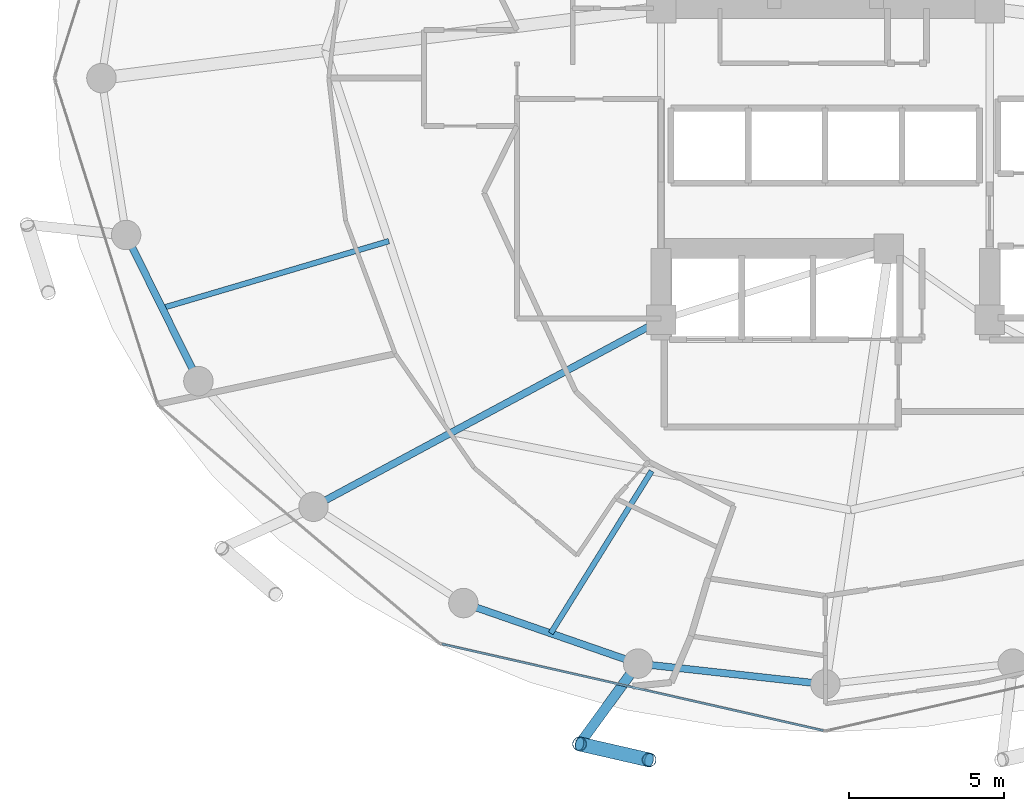
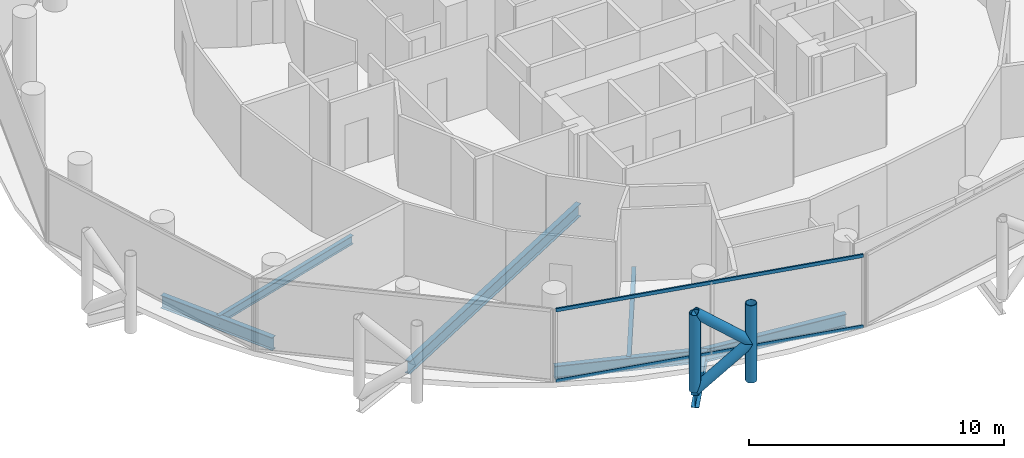
# One storey, part 3 of 26: 7 beams, 6 members, 1 element without a shape of its own.
"""IFC4 building model written with IfcOpenShell, lengths in metres."""

from ifc_helpers import new_model, si_unit, direction, frame, origin, origin_2d, place, context, subcontext, project, spatial, hollow_rectangle, hollow_circle, i_section, extrude, material, layer, layer_set, material_profile, profile_set, type_object, element, aggregate, save


model = new_model("IFC4")

# Units and contexts
model_context = context("Model", 3, precision=1e-05, world=origin(), true_north=direction((0.0, 1.0)))
body_context = subcontext(model_context, "Body", "Model", "MODEL_VIEW")
ifc_project = project(units=[si_unit("LENGTHUNIT", "METRE"), si_unit("AREAUNIT", "SQUARE_METRE"), si_unit("VOLUMEUNIT", "CUBIC_METRE"), si_unit("PLANEANGLEUNIT", "RADIAN"), si_unit("MASSUNIT", "GRAM", prefix="KILO")], contexts=[model_context])

# Site, building, storey
site_placement = place(None, origin())
site = spatial("IfcSite", under=ifc_project, at=site_placement, CompositionType="ELEMENT")
building_placement = place(site_placement, origin())
building = spatial("IfcBuilding", under=site, at=building_placement, Name="Nuhasar Tower", CompositionType="ELEMENT")
storey_placement = place(building_placement, frame((0.0, 0.0, 184.85009765625)))
storey = spatial("IfcBuildingStorey", under=building, at=storey_placement, Name="L45", CompositionType="ELEMENT", Elevation=184.85009765625)

# Beams
ifc_material_1 = material(Name="Steel S355", Category="steel")
ifc_material_profile_1 = material_profile(ifc_material_1, i_section(OverallWidth=0.177978515625, OverallDepth=0.406005859375, WebThickness=0.0078125, FlangeThickness=0.0126953125, at=origin_2d()), Name="W16X40")
ifc_profile_set_1 = profile_set([ifc_material_profile_1], Name="Steel S355")
beam_type_1 = type_object("IfcBeamType", Name="BM-JST-W16X40", PredefinedType="JOIST", material=ifc_profile_set_1)
beam_1_placement = place(storey_placement, frame((33.39697265625, 14.1279296875, -0.453125), z_axis=(-0.528139463011, -0.849157645912, 0.0), x_axis=(0.849157645912, -0.528139463011, 0.0)))
element("IfcBeam", 1, at=beam_1_placement, inside=storey, type_object=beam_type_1, Name="L45 Secondary Floor Joist 01", PredefinedType="JOIST", context=body_context, shape_type="SweptSolid", body=[
    extrude(i_section(OverallWidth=0.177978515625, OverallDepth=0.406005859375, WebThickness=0.0078125, FlangeThickness=0.0126953125, at=origin_2d()), origin(), (0.0, 0.0, 1.0), 6.164794921875),
])
beam_2_placement = place(storey_placement, frame((24.922119140625, 21.54296875, -0.453125), z_axis=(-0.959013356257, -0.283360869775, 0.0), x_axis=(0.283360869775, -0.959013356257, 0.0)))
element("IfcBeam", 2, at=beam_2_placement, inside=storey, type_object=beam_type_1, Name="L45 Secondary Floor Joist 08", PredefinedType="JOIST", context=body_context, shape_type="SweptSolid", body=[
    extrude(i_section(OverallWidth=0.177978515625, OverallDepth=0.406005859375, WebThickness=0.0078125, FlangeThickness=0.0126953125, at=origin_2d()), origin(), (0.0, 0.0, 1.0), 7.62255859375),
])
ifc_material_profile_2 = material_profile(ifc_material_1, i_section(OverallWidth=0.22900390625, OverallDepth=0.612060546875, WebThickness=0.011962890625, FlangeThickness=0.01953125, at=origin_2d()), Name="W24X84")
ifc_profile_set_2 = profile_set([ifc_material_profile_2], Name="Steel S355")
beam_type_2 = type_object("IfcBeamType", Name="BM-RAD-W24X84", PredefinedType="BEAM", material=ifc_profile_set_2)
beam_3_placement = place(storey_placement, frame((33.699951171875, 19.0, -0.55615234375), z_axis=(-0.880888386928, -0.473324043098, 0.0), x_axis=(0.473324043098, -0.880888386928, 0.0)))
element("IfcBeam", 3, at=beam_3_placement, inside=storey, type_object=beam_type_2, Name="L45 Radial Floor Girder 01", PredefinedType="BEAM", context=body_context, shape_type="SweptSolid", body=[
    extrude(i_section(OverallWidth=0.22900390625, OverallDepth=0.612060546875, WebThickness=0.011962890625, FlangeThickness=0.01953125, at=origin_2d()), origin(), (0.0, 0.0, 1.0), 12.726806640625),
])
ifc_material_profile_3 = material_profile(ifc_material_1, i_section(OverallWidth=0.22998046875, OverallDepth=0.616943359375, WebThickness=0.01318359375, FlangeThickness=0.022216796875, at=origin_2d()), Name="W24X94")
ifc_profile_set_3 = profile_set([ifc_material_profile_3], Name="Steel S355")
beam_type_3 = type_object("IfcBeamType", Name="BM-RING-W24X94", PredefinedType="SPANDREL", material=ifc_profile_set_3)
beam_4_placement = place(storey_placement, frame((16.446044921875, 21.739990234375, -0.55908203125), z_axis=(0.443329327657, -0.896358804966, 0.0), x_axis=(0.896358804966, 0.443329327657, 0.0)))
element("IfcBeam", 4, at=beam_4_placement, inside=storey, type_object=beam_type_3, Name="L45 Perimeter Ring Spandrel 14", PredefinedType="SPANDREL", context=body_context, shape_type="SweptSolid", body=[
    extrude(i_section(OverallWidth=0.22998046875, OverallDepth=0.616943359375, WebThickness=0.01318359375, FlangeThickness=0.022216796875, at=origin_2d()), origin(), (0.0, 0.0, 1.0), 5.26025390625),
])
beam_5_placement = place(storey_placement, frame((27.324951171875, 9.868896484375, -0.55908203125), z_axis=(0.944814057608, -0.327607076458, 0.0), x_axis=(0.327607076458, 0.944814057608, 0.0)))
element("IfcBeam", 5, at=beam_5_placement, inside=storey, type_object=beam_type_3, Name="L45 Perimeter Ring Spandrel 17", PredefinedType="SPANDREL", context=body_context, shape_type="SweptSolid", body=[
    extrude(i_section(OverallWidth=0.22998046875, OverallDepth=0.616943359375, WebThickness=0.01318359375, FlangeThickness=0.022216796875, at=origin_2d()), origin(), (0.0, 0.0, 1.0), 5.9609375),
])
beam_6_placement = place(storey_placement, frame((32.95703125, 7.916015625, -0.55908203125), z_axis=(0.993981289157, -0.109549974015, 0.0), x_axis=(0.109549974015, 0.993981289157, 0.0)))
element("IfcBeam", 6, at=beam_6_placement, inside=storey, type_object=beam_type_3, Name="L45 Perimeter Ring Spandrel 18", PredefinedType="SPANDREL", context=body_context, shape_type="SweptSolid", body=[
    extrude(i_section(OverallWidth=0.22998046875, OverallDepth=0.616943359375, WebThickness=0.01318359375, FlangeThickness=0.022216796875, at=origin_2d()), origin(), (0.0, 0.0, 1.0), 6.07958984375),
])
ifc_material_profile_4 = material_profile(ifc_material_1, i_section(OverallWidth=0.323974609375, OverallDepth=0.611083984375, WebThickness=0.0126953125, FlangeThickness=0.01904296875, at=origin_2d()), Name="W24X104")
ifc_profile_set_4 = profile_set([ifc_material_profile_4], Name="Steel S355")
beam_type_4 = type_object("IfcBeamType", Name="BM-TIE-W24X104", PredefinedType="BEAM", material=ifc_profile_set_4)
beam_7_placement = place(storey_placement, frame((32.95703125, 7.916015625, -0.55615234375), z_axis=(-0.588149050751, -0.808752554309, 0.0), x_axis=(0.808752554309, -0.588149050751, 0.0)))
element("IfcBeam", 7, at=beam_7_placement, inside=storey, type_object=beam_type_4, Name="L45 Exoskeleton Node Tie Beam 09", PredefinedType="BEAM", context=body_context, shape_type="SweptSolid", body=[
    extrude(i_section(OverallWidth=0.323974609375, OverallDepth=0.611083984375, WebThickness=0.0126953125, FlangeThickness=0.01904296875, at=origin_2d()), origin(), (0.0, 0.0, 1.0), 3.205078125),
])

# Curtain wall, members
ifc_material_2 = material(Name="Aluminium 6063-T6", Category="aluminium")
ifc_layer = layer(ifc_material_2, 0.199951171875)
ifc_layer_set = layer_set([ifc_layer], Name="Aluminium 6063-T6")
curtain_wall_type = type_object("IfcCurtainWallType", Name="CW-Z2-HTL", PredefinedType="NOTDEFINED", material=ifc_layer_set)
curtain_wall_placement = place(storey_placement, origin())
curtain_wall = element("IfcCurtainWall", 8, at=curtain_wall_placement, inside=storey, type_object=curtain_wall_type, Name="L45 Unitised Curtain Wall 09", PredefinedType="NOTDEFINED")
ifc_material_profile_5 = material_profile(ifc_material_2, hollow_rectangle(XDim=0.070068359375, YDim=0.159912109375, WallThickness=0.00439453125, at=origin_2d()), Name="CWT-3")
ifc_profile_set_5 = profile_set([ifc_material_profile_5], Name="Aluminium 6063-T6")
member_type_1 = type_object("IfcMemberType", Name="CW-TRN-S3", PredefinedType="USERDEFINED", material=ifc_profile_set_5)
member_1_placement = place(storey_placement, frame((26.63818359375, 8.54638671875, 0.034912109375), z_axis=(0.975187615691, -0.221380022142, 0.0), x_axis=(0.221380022142, 0.975187615691, 0.0)))
member_1 = element("IfcMember", 9, at=member_1_placement, type_object=member_type_1, Name="CW-Z2 transom 1.1", ObjectType="TRANSOM", PredefinedType="USERDEFINED", context=body_context, shape_type="SweptSolid", body=[
    extrude(hollow_rectangle(XDim=0.070068359375, YDim=0.159912109375, WallThickness=0.00439453125, at=origin_2d()), origin(), (0.0, 0.0, 1.0), 12.606201171875),
])
member_2_placement = place(storey_placement, frame((26.63818359375, 8.54638671875, 3.414794921875), z_axis=(0.975187615691, -0.221380022142, 0.0), x_axis=(0.221380022142, 0.975187615691, 0.0)))
member_2 = element("IfcMember", 10, at=member_2_placement, type_object=member_type_1, Name="CW-Z2 transom 1.2", ObjectType="TRANSOM", PredefinedType="USERDEFINED", context=body_context, shape_type="SweptSolid", body=[
    extrude(hollow_rectangle(XDim=0.070068359375, YDim=0.159912109375, WallThickness=0.00439453125, at=origin_2d()), origin(), (0.0, 0.0, 1.0), 12.606201171875),
])
aggregate(curtain_wall, [member_1, member_2])

# Members
ifc_material_3 = material(Name="Steel S460", Category="steel")
ifc_material_profile_6 = material_profile(ifc_material_3, hollow_circle(Radius=0.228515625, WallThickness=0.022216796875, at=origin_2d()), Name="HSS457X22.2")
ifc_profile_set_6 = profile_set([ifc_material_profile_6], Name="Steel S460")
member_type_2 = type_object("IfcMemberType", Name="EXO-BRONZE-457", PredefinedType="BRACE", material=ifc_profile_set_6)
for number, where, z_axis, x_axis, name in (
    (11, (31.072021484375, 5.323974609375, 0.0), (0.0, 0.0, 1.0), (1.0, 0.0, 0.0), "L45 Exoskeleton Chord Column EC-09A"),
    (12, (33.31396484375, 4.81005859375, 0.0), (0.0, 0.0, 1.0), (1.0, 0.0, 0.0), "L45 Exoskeleton Chord Column EC-09B"),
):
    element("IfcMember", number, at=place(storey_placement, frame(where, z_axis=z_axis, x_axis=x_axis)), inside=storey, type_object=member_type_2, Name=name, PredefinedType="BRACE", context=body_context, shape_type="SweptSolid", body=[
        extrude(hollow_circle(Radius=0.228515625, WallThickness=0.022216796875, at=origin_2d()), origin(), (0.0, 0.0, 1.0), 3.699951171875),
    ])
member_3_placement = place(storey_placement, frame((31.072021484375, 5.323974609375, 0.0), z_axis=(0.759549860492, -0.174110035537, 0.626713415327), x_axis=(0.223432882746, 0.974719316987, 0.0)))
element("IfcMember", 13, at=member_3_placement, inside=storey, type_object=member_type_2, Name="L45 Bronze Diagrid Brace W1-09", PredefinedType="BRACE", context=body_context, shape_type="SweptSolid", body=[
    extrude(hollow_circle(Radius=0.228515625, WallThickness=0.022216796875, at=origin_2d()), origin(), (0.0, 0.0, 1.0), 2.95166015625),
])
member_4_placement = place(storey_placement, frame((33.31396484375, 4.81005859375, 1.849853515625), z_axis=(-0.759510488094, 0.174101010284, 0.626763637022), x_axis=(-0.223432882746, -0.974719316987, 0.0)))
element("IfcMember", 14, at=member_4_placement, inside=storey, type_object=member_type_2, Name="L45 Bronze Diagrid Brace W2-09", PredefinedType="BRACE", context=body_context, shape_type="SweptSolid", body=[
    extrude(hollow_circle(Radius=0.228515625, WallThickness=0.022216796875, at=origin_2d()), origin(), (0.0, 0.0, 1.0), 2.951904296875),
])

save(model, "model.ifc")
